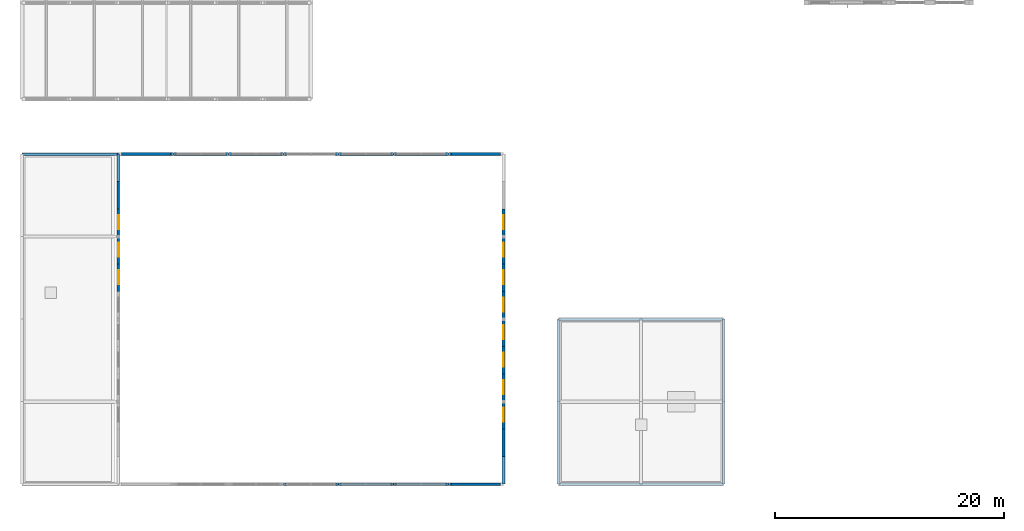
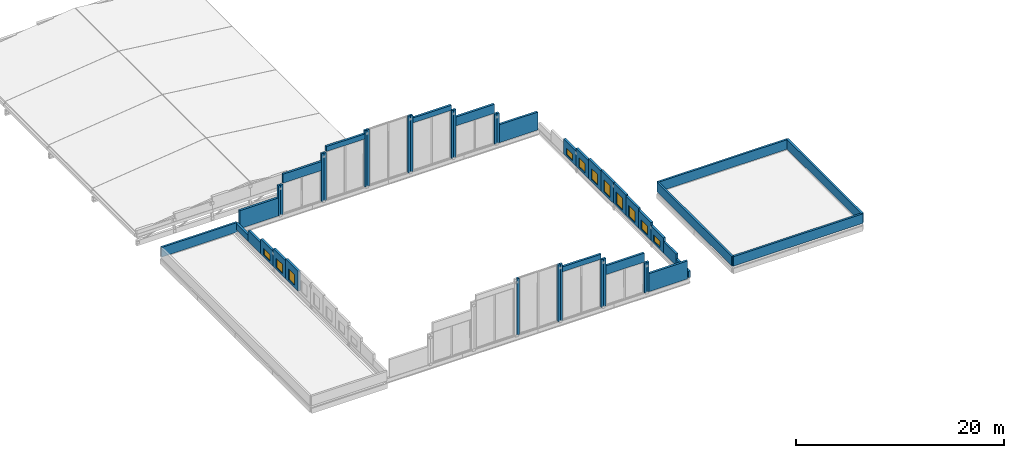
# One storey, part 24 of 34: 48 walls, 11 windows, 11 openings.
"""IFC4 building model written with IfcOpenShell, lengths in metres."""

from ifc_helpers import new_model, si_unit, direction, frame, frame_2d, origin, place, context, subcontext, project, spatial, rectangle, extrude, material, layer, layer_set, type_object, element, fill, save


model = new_model("IFC4")

# Units and contexts
model_context = context("Model", 3, precision=1e-05, world=origin(), true_north=direction((0.0, 1.0)))
body_context = subcontext(model_context, "Body", "Model", "MODEL_VIEW")
ifc_project = project(units=[si_unit("LENGTHUNIT", "METRE"), si_unit("AREAUNIT", "SQUARE_METRE"), si_unit("VOLUMEUNIT", "CUBIC_METRE"), si_unit("PLANEANGLEUNIT", "RADIAN"), si_unit("MASSUNIT", "GRAM", prefix="KILO")], contexts=[model_context])

# Site, building, storey
site_placement = place(None, origin())
site = spatial("IfcSite", under=ifc_project, at=site_placement, CompositionType="ELEMENT")
building_placement = place(site_placement, origin())
building = spatial("IfcBuilding", under=site, at=building_placement, Name="Kahlenmark Community Centre", CompositionType="ELEMENT")
storey_placement = place(building_placement, frame((0.0, 0.0, 17.699951171875)))
storey = spatial("IfcBuildingStorey", under=building, at=storey_placement, Name="L04", CompositionType="ELEMENT", Elevation=17.699951171875)

# Walls
ifc_material_1 = material(Name="Cross-laminated timber CLT C24", Category="wood")
ifc_layer_1 = layer(ifc_material_1, 0.239990234375)
ifc_layer_set_1 = layer_set([ifc_layer_1], Name="Cross-laminated timber CLT C24")
wall_type_1 = type_object("IfcWallType", Name="WT-EW-240", PredefinedType="SOLIDWALL", material=ifc_layer_set_1)
for number, where, z_axis, x_axis, name in (
    (1, (26.800048828125, 8.800048828125, 0.300048828125), (0.0, 0.0, 1.0), (1.0, 0.0, 0.0), "Main Hall arch pier 0864"),
    (2, (31.340087890625, 8.800048828125, 0.300048828125), (0.0, 0.0, 1.0), (1.0, 0.0, 0.0), "Main Hall arch pier 0865"),
    (3, (31.60009765625, 8.800048828125, 0.300048828125), (0.0, 0.0, 1.0), (1.0, 0.0, 0.0), "Main Hall arch pier 0866"),
):
    element("IfcWall", number, at=place(storey_placement, frame(where, z_axis=z_axis, x_axis=x_axis)), inside=storey, type_object=wall_type_1, Name=name, PredefinedType="SOLIDWALL", context=body_context, shape_type="SweptSolid", body=[
        extrude(rectangle(XDim=0.260009765625, YDim=0.239990234375, at=frame_2d((0.1298828125, 0.0))), origin(), (0.0, 0.0, 1.0), 6.635986328125),
    ])
wall_1_placement = place(storey_placement, frame((36.139892578125, 8.800048828125, 0.300048828125), z_axis=(0.0, 0.0, 1.0), x_axis=(1.0, 0.0, 0.0)))
element("IfcWall", 4, at=wall_1_placement, inside=storey, type_object=wall_type_1, Name="Main Hall arch pier 0867", PredefinedType="SOLIDWALL", context=body_context, shape_type="SweptSolid", body=[
    extrude(rectangle(XDim=0.260009765625, YDim=0.239990234375, at=frame_2d((0.1298828125, 0.0))), origin(), (0.0, 0.0, 1.0), 5.5966796875),
])
wall_2_placement = place(storey_placement, frame((31.860107421875, 8.800048828125, 5.979736328125), z_axis=(0.0, 0.0, 1.0), x_axis=(1.0, 0.0, 0.0)))
element("IfcWall", 5, at=wall_2_placement, inside=storey, type_object=wall_type_1, Name="Main Hall arch crown spandrel 0868", PredefinedType="SOLIDWALL", context=body_context, shape_type="SweptSolid", body=[
    extrude(rectangle(XDim=4.27978515625, YDim=0.239990234375, at=frame_2d((2.139892578125, 0.0))), origin(), (0.0, 0.0, 1.0), 0.58642578125),
])
wall_3_placement = place(storey_placement, frame((36.39990234375, 8.800048828125, 0.300048828125), z_axis=(0.0, 0.0, 1.0), x_axis=(1.0, 0.0, 0.0)))
element("IfcWall", 6, at=wall_3_placement, inside=storey, type_object=wall_type_1, Name="Main Hall arch pier 0869", PredefinedType="SOLIDWALL", context=body_context, shape_type="SweptSolid", body=[
    extrude(rectangle(XDim=0.260009765625, YDim=0.239990234375, at=frame_2d((0.1298828125, 0.0))), origin(), (0.0, 0.0, 1.0), 5.5966796875),
])
wall_4_placement = place(storey_placement, frame((40.93994140625, 8.800048828125, 0.300048828125), z_axis=(0.0, 0.0, 1.0), x_axis=(1.0, 0.0, 0.0)))
element("IfcWall", 7, at=wall_4_placement, inside=storey, type_object=wall_type_1, Name="Main Hall arch pier 0870", PredefinedType="SOLIDWALL", context=body_context, shape_type="SweptSolid", body=[
    extrude(rectangle(XDim=0.260009765625, YDim=0.239990234375, at=frame_2d((0.1298828125, 0.0))), origin(), (0.0, 0.0, 1.0), 3.51806640625),
])
wall_5_placement = place(storey_placement, frame((36.659912109375, 8.800048828125, 3.957275390625), z_axis=(0.0, 0.0, 1.0), x_axis=(1.0, 0.0, 0.0)))
element("IfcWall", 8, at=wall_5_placement, inside=storey, type_object=wall_type_1, Name="Main Hall arch crown spandrel 0871", PredefinedType="SOLIDWALL", context=body_context, shape_type="SweptSolid", body=[
    extrude(rectangle(XDim=4.280029296875, YDim=0.239990234375, at=frame_2d((2.14013671875, 0.0))), origin(), (0.0, 0.0, 1.0), 1.050048828125),
])
wall_6_placement = place(storey_placement, frame((41.199951171875, 8.800048828125, 0.300048828125), z_axis=(0.0, 0.0, 1.0), x_axis=(1.0, 0.0, 0.0)))
element("IfcWall", 9, at=wall_6_placement, inside=storey, type_object=wall_type_1, Name="Main Hall arch pier 0872", PredefinedType="SOLIDWALL", context=body_context, shape_type="SweptSolid", body=[
    extrude(rectangle(XDim=0.260009765625, YDim=0.239990234375, at=frame_2d((0.1298828125, 0.0))), origin(), (0.0, 0.0, 1.0), 3.51806640625),
])
wall_7_placement = place(storey_placement, frame((41.4599609375, 8.800048828125, 0.300048828125), z_axis=(0.0, 0.0, 1.0), x_axis=(1.0, 0.0, 0.0)))
element("IfcWall", 10, at=wall_7_placement, inside=storey, type_object=wall_type_1, Name="Main Hall arch haunch wall 0873", PredefinedType="SOLIDWALL", context=body_context, shape_type="SweptSolid", body=[
    extrude(rectangle(XDim=4.280029296875, YDim=0.239990234375, at=frame_2d((2.14013671875, 0.0))), origin(), (0.0, 0.0, 1.0), 2.10888671875),
])
wall_8_placement = place(storey_placement, frame((16.93994140625, 37.60009765625, 0.300048828125), z_axis=(0.0, 0.0, 1.0), x_axis=(1.0, 0.0, 0.0)))
element("IfcWall", 11, at=wall_8_placement, inside=storey, type_object=wall_type_1, Name="Main Hall arch pier 0874", PredefinedType="SOLIDWALL", context=body_context, shape_type="SweptSolid", body=[
    extrude(rectangle(XDim=0.260009765625, YDim=0.239990234375, at=frame_2d((0.1298828125, 0.0))), origin(), (0.0, 0.0, 1.0), 3.51806640625),
])
wall_9_placement = place(storey_placement, frame((12.659912109375, 37.60009765625, 0.300048828125), z_axis=(0.0, 0.0, 1.0), x_axis=(1.0, 0.0, 0.0)))
element("IfcWall", 12, at=wall_9_placement, inside=storey, type_object=wall_type_1, Name="Main Hall arch haunch wall 0875", PredefinedType="SOLIDWALL", context=body_context, shape_type="SweptSolid", body=[
    extrude(rectangle(XDim=4.280029296875, YDim=0.239990234375, at=frame_2d((2.14013671875, 0.0))), origin(), (0.0, 0.0, 1.0), 2.10888671875),
])
wall_10_placement = place(storey_placement, frame((17.199951171875, 37.60009765625, 0.300048828125), z_axis=(0.0, 0.0, 1.0), x_axis=(1.0, 0.0, 0.0)))
element("IfcWall", 13, at=wall_10_placement, inside=storey, type_object=wall_type_1, Name="Main Hall arch pier 0876", PredefinedType="SOLIDWALL", context=body_context, shape_type="SweptSolid", body=[
    extrude(rectangle(XDim=0.260009765625, YDim=0.239990234375, at=frame_2d((0.1298828125, 0.0))), origin(), (0.0, 0.0, 1.0), 3.51806640625),
])
wall_11_placement = place(storey_placement, frame((21.739990234375, 37.60009765625, 0.300048828125), z_axis=(0.0, 0.0, 1.0), x_axis=(1.0, 0.0, 0.0)))
element("IfcWall", 14, at=wall_11_placement, inside=storey, type_object=wall_type_1, Name="Main Hall arch pier 0877", PredefinedType="SOLIDWALL", context=body_context, shape_type="SweptSolid", body=[
    extrude(rectangle(XDim=0.260009765625, YDim=0.239990234375, at=frame_2d((0.1298828125, 0.0))), origin(), (0.0, 0.0, 1.0), 5.5966796875),
])
wall_12_placement = place(storey_placement, frame((17.4599609375, 37.60009765625, 3.957275390625), z_axis=(0.0, 0.0, 1.0), x_axis=(1.0, 0.0, 0.0)))
element("IfcWall", 15, at=wall_12_placement, inside=storey, type_object=wall_type_1, Name="Main Hall arch crown spandrel 0878", PredefinedType="SOLIDWALL", context=body_context, shape_type="SweptSolid", body=[
    extrude(rectangle(XDim=4.280029296875, YDim=0.239990234375, at=frame_2d((2.14013671875, 0.0))), origin(), (0.0, 0.0, 1.0), 1.050048828125),
])
wall_13_placement = place(storey_placement, frame((22.0, 37.60009765625, 0.300048828125), z_axis=(0.0, 0.0, 1.0), x_axis=(1.0, 0.0, 0.0)))
element("IfcWall", 16, at=wall_13_placement, inside=storey, type_object=wall_type_1, Name="Main Hall arch pier 0879", PredefinedType="SOLIDWALL", context=body_context, shape_type="SweptSolid", body=[
    extrude(rectangle(XDim=0.260009765625, YDim=0.239990234375, at=frame_2d((0.1298828125, 0.0))), origin(), (0.0, 0.0, 1.0), 5.5966796875),
])
wall_14_placement = place(storey_placement, frame((26.5400390625, 37.60009765625, 0.300048828125), z_axis=(0.0, 0.0, 1.0), x_axis=(1.0, 0.0, 0.0)))
element("IfcWall", 17, at=wall_14_placement, inside=storey, type_object=wall_type_1, Name="Main Hall arch pier 0880", PredefinedType="SOLIDWALL", context=body_context, shape_type="SweptSolid", body=[
    extrude(rectangle(XDim=0.260009765625, YDim=0.239990234375, at=frame_2d((0.1298828125, 0.0))), origin(), (0.0, 0.0, 1.0), 6.635986328125),
])
wall_15_placement = place(storey_placement, frame((22.260009765625, 37.60009765625, 5.979736328125), z_axis=(0.0, 0.0, 1.0), x_axis=(1.0, 0.0, 0.0)))
element("IfcWall", 18, at=wall_15_placement, inside=storey, type_object=wall_type_1, Name="Main Hall arch crown spandrel 0881", PredefinedType="SOLIDWALL", context=body_context, shape_type="SweptSolid", body=[
    extrude(rectangle(XDim=4.280029296875, YDim=0.239990234375, at=frame_2d((2.14013671875, 0.0))), origin(), (0.0, 0.0, 1.0), 0.58642578125),
])
for number, where, z_axis, x_axis, name in (
    (19, (26.800048828125, 37.60009765625, 0.300048828125), (0.0, 0.0, 1.0), (1.0, 0.0, 0.0), "Main Hall arch pier 0882"),
    (20, (31.340087890625, 37.60009765625, 0.300048828125), (0.0, 0.0, 1.0), (1.0, 0.0, 0.0), "Main Hall arch pier 0883"),
    (21, (31.60009765625, 37.60009765625, 0.300048828125), (0.0, 0.0, 1.0), (1.0, 0.0, 0.0), "Main Hall arch pier 0884"),
):
    element("IfcWall", number, at=place(storey_placement, frame(where, z_axis=z_axis, x_axis=x_axis)), inside=storey, type_object=wall_type_1, Name=name, PredefinedType="SOLIDWALL", context=body_context, shape_type="SweptSolid", body=[
        extrude(rectangle(XDim=0.260009765625, YDim=0.239990234375, at=frame_2d((0.1298828125, 0.0))), origin(), (0.0, 0.0, 1.0), 6.635986328125),
    ])
wall_16_placement = place(storey_placement, frame((36.139892578125, 37.60009765625, 0.300048828125), z_axis=(0.0, 0.0, 1.0), x_axis=(1.0, 0.0, 0.0)))
element("IfcWall", 22, at=wall_16_placement, inside=storey, type_object=wall_type_1, Name="Main Hall arch pier 0885", PredefinedType="SOLIDWALL", context=body_context, shape_type="SweptSolid", body=[
    extrude(rectangle(XDim=0.260009765625, YDim=0.239990234375, at=frame_2d((0.1298828125, 0.0))), origin(), (0.0, 0.0, 1.0), 5.5966796875),
])
wall_17_placement = place(storey_placement, frame((31.860107421875, 37.60009765625, 5.979736328125), z_axis=(0.0, 0.0, 1.0), x_axis=(1.0, 0.0, 0.0)))
element("IfcWall", 23, at=wall_17_placement, inside=storey, type_object=wall_type_1, Name="Main Hall arch crown spandrel 0886", PredefinedType="SOLIDWALL", context=body_context, shape_type="SweptSolid", body=[
    extrude(rectangle(XDim=4.27978515625, YDim=0.239990234375, at=frame_2d((2.139892578125, 0.0))), origin(), (0.0, 0.0, 1.0), 0.58642578125),
])
wall_18_placement = place(storey_placement, frame((36.39990234375, 37.60009765625, 0.300048828125), z_axis=(0.0, 0.0, 1.0), x_axis=(1.0, 0.0, 0.0)))
element("IfcWall", 24, at=wall_18_placement, inside=storey, type_object=wall_type_1, Name="Main Hall arch pier 0887", PredefinedType="SOLIDWALL", context=body_context, shape_type="SweptSolid", body=[
    extrude(rectangle(XDim=0.260009765625, YDim=0.239990234375, at=frame_2d((0.1298828125, 0.0))), origin(), (0.0, 0.0, 1.0), 5.5966796875),
])
wall_19_placement = place(storey_placement, frame((40.93994140625, 37.60009765625, 0.300048828125), z_axis=(0.0, 0.0, 1.0), x_axis=(1.0, 0.0, 0.0)))
element("IfcWall", 25, at=wall_19_placement, inside=storey, type_object=wall_type_1, Name="Main Hall arch pier 0888", PredefinedType="SOLIDWALL", context=body_context, shape_type="SweptSolid", body=[
    extrude(rectangle(XDim=0.260009765625, YDim=0.239990234375, at=frame_2d((0.1298828125, 0.0))), origin(), (0.0, 0.0, 1.0), 3.51806640625),
])
wall_20_placement = place(storey_placement, frame((36.659912109375, 37.60009765625, 3.957275390625), z_axis=(0.0, 0.0, 1.0), x_axis=(1.0, 0.0, 0.0)))
element("IfcWall", 26, at=wall_20_placement, inside=storey, type_object=wall_type_1, Name="Main Hall arch crown spandrel 0889", PredefinedType="SOLIDWALL", context=body_context, shape_type="SweptSolid", body=[
    extrude(rectangle(XDim=4.280029296875, YDim=0.239990234375, at=frame_2d((2.14013671875, 0.0))), origin(), (0.0, 0.0, 1.0), 1.050048828125),
])
wall_21_placement = place(storey_placement, frame((41.199951171875, 37.60009765625, 0.300048828125), z_axis=(0.0, 0.0, 1.0), x_axis=(1.0, 0.0, 0.0)))
element("IfcWall", 27, at=wall_21_placement, inside=storey, type_object=wall_type_1, Name="Main Hall arch pier 0890", PredefinedType="SOLIDWALL", context=body_context, shape_type="SweptSolid", body=[
    extrude(rectangle(XDim=0.260009765625, YDim=0.239990234375, at=frame_2d((0.1298828125, 0.0))), origin(), (0.0, 0.0, 1.0), 3.51806640625),
])
wall_22_placement = place(storey_placement, frame((41.4599609375, 37.60009765625, 0.300048828125), z_axis=(0.0, 0.0, 1.0), x_axis=(1.0, 0.0, 0.0)))
element("IfcWall", 28, at=wall_22_placement, inside=storey, type_object=wall_type_1, Name="Main Hall arch haunch wall 0891", PredefinedType="SOLIDWALL", context=body_context, shape_type="SweptSolid", body=[
    extrude(rectangle(XDim=4.280029296875, YDim=0.239990234375, at=frame_2d((2.14013671875, 0.0))), origin(), (0.0, 0.0, 1.0), 2.10888671875),
])

# Wall, opening, window
wall_23_placement = place(storey_placement, frame((12.39990234375, 25.60009765625, 0.300048828125), z_axis=(0.0, 0.0, 1.0), x_axis=(0.0, 1.0, 0.0)))
wall_23 = element("IfcWall", 29, at=wall_23_placement, inside=storey, type_object=wall_type_1, Name="Main Hall lunette wall WL-TYMP-EW-0899", PredefinedType="SOLIDWALL", context=body_context, shape_type="SweptSolid", body=[
    extrude(rectangle(XDim=2.39990234375, YDim=0.239990234375, at=frame_2d((1.199951171875, 0.0))), origin(), (0.0, 0.0, 1.0), 2.328857421875),
])
opening_1_placement = place(wall_23_placement, frame((0.659912109375, 0.0, 0.25)))
opening_1 = element("IfcOpeningElement", 30, at=opening_1_placement, cuts=wall_23, Name="Opening W-120X129", PredefinedType="OPENING", context=body_context, shape_type="SweptSolid", body=[
    extrude(rectangle(XDim=1.199951171875, YDim=1.2890625, at=frame_2d((0.60009765625, 0.64453125))), frame((0.0, 0.1298828125, 0.0), z_axis=(0.0, -1.0, 0.0), x_axis=(1.0, 0.0, 0.0)), (0.0, 0.0, 1.0), 0.260009765625),
])
ifc_material_2 = material(Name="Triple low-e insulated glazing in timber-aluminium frame", Category="wood")
window_type_1 = type_object("IfcWindowType", Name="WNT-120X129", PartitioningType="SINGLE_PANEL", PredefinedType="WINDOW", material=ifc_material_2)
window_1_placement = place(opening_1_placement, origin())
window_1 = element("IfcWindow", 31, at=window_1_placement, inside=storey, type_object=window_type_1, Name="Window W-120X129 #0540", OverallHeight=1.2890625, OverallWidth=1.199951171875, PartitioningType="SINGLE_PANEL", PredefinedType="WINDOW", context=body_context, shape_type="SweptSolid", body=[
    extrude(rectangle(XDim=1.199951171875, YDim=1.2890625, at=frame_2d((0.60009765625, 0.64453125))), frame((0.0, 0.030029296875, 0.0), z_axis=(0.0, -1.0, 0.0), x_axis=(1.0, 0.0, 0.0)), (0.0, 0.0, 1.0), 0.06005859375),
])
fill(opening_1, window_1)

wall_24_placement = place(storey_placement, frame((12.39990234375, 28.0, 0.300048828125), z_axis=(0.0, 0.0, 1.0), x_axis=(0.0, 1.0, 0.0)))
wall_24 = element("IfcWall", 32, at=wall_24_placement, inside=storey, type_object=wall_type_1, Name="Main Hall lunette wall WL-TYMP-EW-0900", PredefinedType="SOLIDWALL", context=body_context, shape_type="SweptSolid", body=[
    extrude(rectangle(XDim=2.39990234375, YDim=0.239990234375, at=frame_2d((1.199951171875, 0.0))), origin(), (0.0, 0.0, 1.0), 2.106201171875),
])
opening_2_placement = place(wall_24_placement, frame((0.659912109375, 0.0, 0.25)))
opening_2 = element("IfcOpeningElement", 33, at=opening_2_placement, cuts=wall_24, Name="Opening W-120X107", PredefinedType="OPENING", context=body_context, shape_type="SweptSolid", body=[
    extrude(rectangle(XDim=1.199951171875, YDim=1.06591796875, at=frame_2d((0.60009765625, 0.532958984375))), frame((0.0, 0.1298828125, 0.0), z_axis=(0.0, -1.0, 0.0), x_axis=(1.0, 0.0, 0.0)), (0.0, 0.0, 1.0), 0.260009765625),
])
window_type_2 = type_object("IfcWindowType", Name="WNT-120X107", PartitioningType="SINGLE_PANEL", PredefinedType="WINDOW", material=ifc_material_2)
window_2_placement = place(opening_2_placement, origin())
window_2 = element("IfcWindow", 34, at=window_2_placement, inside=storey, type_object=window_type_2, Name="Window W-120X107 #0541", OverallHeight=1.06591796875, OverallWidth=1.199951171875, PartitioningType="SINGLE_PANEL", PredefinedType="WINDOW", context=body_context, shape_type="SweptSolid", body=[
    extrude(rectangle(XDim=1.199951171875, YDim=1.06591796875, at=frame_2d((0.60009765625, 0.532958984375))), frame((0.0, 0.030029296875, 0.0), z_axis=(0.0, -1.0, 0.0), x_axis=(1.0, 0.0, 0.0)), (0.0, 0.0, 1.0), 0.06005859375),
])
fill(opening_2, window_2)

wall_25_placement = place(storey_placement, frame((12.39990234375, 30.39990234375, 0.300048828125), z_axis=(0.0, 0.0, 1.0), x_axis=(0.0, 1.0, 0.0)))
wall_25 = element("IfcWall", 35, at=wall_25_placement, inside=storey, type_object=wall_type_1, Name="Main Hall lunette wall WL-TYMP-EW-0901", PredefinedType="SOLIDWALL", context=body_context, shape_type="SweptSolid", body=[
    extrude(rectangle(XDim=2.400146484375, YDim=0.239990234375, at=frame_2d((1.2001953125, 0.0))), origin(), (0.0, 0.0, 1.0), 1.770751953125),
])
opening_3_placement = place(wall_25_placement, frame((0.659912109375, 0.0, 0.25)))
opening_3 = element("IfcOpeningElement", 36, at=opening_3_placement, cuts=wall_25, Name="Opening W-120X073", PredefinedType="OPENING", context=body_context, shape_type="SweptSolid", body=[
    extrude(rectangle(XDim=1.199951171875, YDim=0.73095703125, at=frame_2d((0.60009765625, 0.365478515625))), frame((0.0, 0.1298828125, 0.0), z_axis=(0.0, -1.0, 0.0), x_axis=(1.0, 0.0, 0.0)), (0.0, 0.0, 1.0), 0.260009765625),
])
window_type_3 = type_object("IfcWindowType", Name="WNT-120X073", PartitioningType="SINGLE_PANEL", PredefinedType="WINDOW", material=ifc_material_2)
window_3_placement = place(opening_3_placement, origin())
window_3 = element("IfcWindow", 37, at=window_3_placement, inside=storey, type_object=window_type_3, Name="Window W-120X073 #0542", OverallHeight=0.73095703125, OverallWidth=1.199951171875, PartitioningType="SINGLE_PANEL", PredefinedType="WINDOW", context=body_context, shape_type="SweptSolid", body=[
    extrude(rectangle(XDim=1.199951171875, YDim=0.73095703125, at=frame_2d((0.60009765625, 0.365478515625))), frame((0.0, 0.030029296875, 0.0), z_axis=(0.0, -1.0, 0.0), x_axis=(1.0, 0.0, 0.0)), (0.0, 0.0, 1.0), 0.06005859375),
])
fill(opening_3, window_3)

# Walls
wall_26_placement = place(storey_placement, frame((12.39990234375, 32.800048828125, 0.300048828125), z_axis=(0.0, 0.0, 1.0), x_axis=(0.0, 1.0, 0.0)))
element("IfcWall", 38, at=wall_26_placement, inside=storey, type_object=wall_type_1, Name="Main Hall lunette wall WL-TYMP-EW-0902", PredefinedType="SOLIDWALL", context=body_context, shape_type="SweptSolid", body=[
    extrude(rectangle(XDim=2.39990234375, YDim=0.239990234375, at=frame_2d((1.199951171875, 0.0))), origin(), (0.0, 0.0, 1.0), 1.319580078125),
])
wall_27_placement = place(storey_placement, frame((12.39990234375, 35.199951171875, 0.300048828125), z_axis=(0.0, 0.0, 1.0), x_axis=(0.0, 1.0, 0.0)))
element("IfcWall", 39, at=wall_27_placement, inside=storey, type_object=wall_type_1, Name="Main Hall lunette wall WL-TYMP-EW-0903", PredefinedType="SOLIDWALL", context=body_context, shape_type="SweptSolid", body=[
    extrude(rectangle(XDim=2.400146484375, YDim=0.239990234375, at=frame_2d((1.2001953125, 0.0))), origin(), (0.0, 0.0, 1.0), 0.750244140625),
])
wall_28_placement = place(storey_placement, frame((46.0, 8.800048828125, 0.300048828125), z_axis=(0.0, 0.0, 1.0), x_axis=(0.0, 1.0, 0.0)))
element("IfcWall", 40, at=wall_28_placement, inside=storey, type_object=wall_type_1, Name="Main Hall lunette wall WL-TYMP-EW-0904", PredefinedType="SOLIDWALL", context=body_context, shape_type="SweptSolid", body=[
    extrude(rectangle(XDim=2.39990234375, YDim=0.239990234375, at=frame_2d((1.199951171875, 0.0))), origin(), (0.0, 0.0, 1.0), 0.750244140625),
])
wall_29_placement = place(storey_placement, frame((46.0, 11.199951171875, 0.300048828125), z_axis=(0.0, 0.0, 1.0), x_axis=(0.0, 1.0, 0.0)))
element("IfcWall", 41, at=wall_29_placement, inside=storey, type_object=wall_type_1, Name="Main Hall lunette wall WL-TYMP-EW-0905", PredefinedType="SOLIDWALL", context=body_context, shape_type="SweptSolid", body=[
    extrude(rectangle(XDim=2.400146484375, YDim=0.239990234375, at=frame_2d((1.2001953125, 0.0))), origin(), (0.0, 0.0, 1.0), 1.319580078125),
])

# Wall, opening, window
wall_30_placement = place(storey_placement, frame((46.0, 13.60009765625, 0.300048828125), z_axis=(0.0, 0.0, 1.0), x_axis=(0.0, 1.0, 0.0)))
wall_30 = element("IfcWall", 42, at=wall_30_placement, inside=storey, type_object=wall_type_1, Name="Main Hall lunette wall WL-TYMP-EW-0906", PredefinedType="SOLIDWALL", context=body_context, shape_type="SweptSolid", body=[
    extrude(rectangle(XDim=2.39990234375, YDim=0.239990234375, at=frame_2d((1.199951171875, 0.0))), origin(), (0.0, 0.0, 1.0), 1.770751953125),
])
opening_4_placement = place(wall_30_placement, frame((0.659912109375, 0.0, 0.25)))
opening_4 = element("IfcOpeningElement", 43, at=opening_4_placement, cuts=wall_30, Name="Opening W-120X073", PredefinedType="OPENING", context=body_context, shape_type="SweptSolid", body=[
    extrude(rectangle(XDim=1.199951171875, YDim=0.73095703125, at=frame_2d((0.60009765625, 0.365478515625))), frame((0.0, 0.1298828125, 0.0), z_axis=(0.0, -1.0, 0.0), x_axis=(1.0, 0.0, 0.0)), (0.0, 0.0, 1.0), 0.260009765625),
])
window_4_placement = place(opening_4_placement, origin())
window_4 = element("IfcWindow", 44, at=window_4_placement, inside=storey, type_object=window_type_3, Name="Window W-120X073 #0543", OverallHeight=0.73095703125, OverallWidth=1.199951171875, PartitioningType="SINGLE_PANEL", PredefinedType="WINDOW", context=body_context, shape_type="SweptSolid", body=[
    extrude(rectangle(XDim=1.199951171875, YDim=0.73095703125, at=frame_2d((0.60009765625, 0.365478515625))), frame((0.0, 0.030029296875, 0.0), z_axis=(0.0, -1.0, 0.0), x_axis=(1.0, 0.0, 0.0)), (0.0, 0.0, 1.0), 0.06005859375),
])
fill(opening_4, window_4)

wall_31_placement = place(storey_placement, frame((46.0, 16.0, 0.300048828125), z_axis=(0.0, 0.0, 1.0), x_axis=(0.0, 1.0, 0.0)))
wall_31 = element("IfcWall", 45, at=wall_31_placement, inside=storey, type_object=wall_type_1, Name="Main Hall lunette wall WL-TYMP-EW-0907", PredefinedType="SOLIDWALL", context=body_context, shape_type="SweptSolid", body=[
    extrude(rectangle(XDim=2.39990234375, YDim=0.239990234375, at=frame_2d((1.199951171875, 0.0))), origin(), (0.0, 0.0, 1.0), 2.106201171875),
])
opening_5_placement = place(wall_31_placement, frame((0.659912109375, 0.0, 0.25)))
opening_5 = element("IfcOpeningElement", 46, at=opening_5_placement, cuts=wall_31, Name="Opening W-120X107", PredefinedType="OPENING", context=body_context, shape_type="SweptSolid", body=[
    extrude(rectangle(XDim=1.199951171875, YDim=1.06591796875, at=frame_2d((0.60009765625, 0.532958984375))), frame((0.0, 0.1298828125, 0.0), z_axis=(0.0, -1.0, 0.0), x_axis=(1.0, 0.0, 0.0)), (0.0, 0.0, 1.0), 0.260009765625),
])
window_5_placement = place(opening_5_placement, origin())
window_5 = element("IfcWindow", 47, at=window_5_placement, inside=storey, type_object=window_type_2, Name="Window W-120X107 #0544", OverallHeight=1.06591796875, OverallWidth=1.199951171875, PartitioningType="SINGLE_PANEL", PredefinedType="WINDOW", context=body_context, shape_type="SweptSolid", body=[
    extrude(rectangle(XDim=1.199951171875, YDim=1.06591796875, at=frame_2d((0.60009765625, 0.532958984375))), frame((0.0, 0.030029296875, 0.0), z_axis=(0.0, -1.0, 0.0), x_axis=(1.0, 0.0, 0.0)), (0.0, 0.0, 1.0), 0.06005859375),
])
fill(opening_5, window_5)

wall_32_placement = place(storey_placement, frame((46.0, 18.39990234375, 0.300048828125), z_axis=(0.0, 0.0, 1.0), x_axis=(0.0, 1.0, 0.0)))
wall_32 = element("IfcWall", 48, at=wall_32_placement, inside=storey, type_object=wall_type_1, Name="Main Hall lunette wall WL-TYMP-EW-0908", PredefinedType="SOLIDWALL", context=body_context, shape_type="SweptSolid", body=[
    extrude(rectangle(XDim=2.400146484375, YDim=0.239990234375, at=frame_2d((1.2001953125, 0.0))), origin(), (0.0, 0.0, 1.0), 2.328857421875),
])
opening_6_placement = place(wall_32_placement, frame((0.659912109375, 0.0, 0.25)))
opening_6 = element("IfcOpeningElement", 49, at=opening_6_placement, cuts=wall_32, Name="Opening W-120X129", PredefinedType="OPENING", context=body_context, shape_type="SweptSolid", body=[
    extrude(rectangle(XDim=1.199951171875, YDim=1.2890625, at=frame_2d((0.60009765625, 0.64453125))), frame((0.0, 0.1298828125, 0.0), z_axis=(0.0, -1.0, 0.0), x_axis=(1.0, 0.0, 0.0)), (0.0, 0.0, 1.0), 0.260009765625),
])
window_6_placement = place(opening_6_placement, origin())
window_6 = element("IfcWindow", 50, at=window_6_placement, inside=storey, type_object=window_type_1, Name="Window W-120X129 #0545", OverallHeight=1.2890625, OverallWidth=1.199951171875, PartitioningType="SINGLE_PANEL", PredefinedType="WINDOW", context=body_context, shape_type="SweptSolid", body=[
    extrude(rectangle(XDim=1.199951171875, YDim=1.2890625, at=frame_2d((0.60009765625, 0.64453125))), frame((0.0, 0.030029296875, 0.0), z_axis=(0.0, -1.0, 0.0), x_axis=(1.0, 0.0, 0.0)), (0.0, 0.0, 1.0), 0.06005859375),
])
fill(opening_6, window_6)

wall_33_placement = place(storey_placement, frame((46.0, 20.800048828125, 0.300048828125), z_axis=(0.0, 0.0, 1.0), x_axis=(0.0, 1.0, 0.0)))
wall_33 = element("IfcWall", 51, at=wall_33_placement, inside=storey, type_object=wall_type_1, Name="Main Hall lunette wall WL-TYMP-EW-0909", PredefinedType="SOLIDWALL", context=body_context, shape_type="SweptSolid", body=[
    extrude(rectangle(XDim=2.39990234375, YDim=0.239990234375, at=frame_2d((1.199951171875, 0.0))), origin(), (0.0, 0.0, 1.0), 2.439697265625),
])
opening_7_placement = place(wall_33_placement, frame((0.659912109375, 0.0, 0.25)))
opening_7 = element("IfcOpeningElement", 52, at=opening_7_placement, cuts=wall_33, Name="Opening W-120X140", PredefinedType="OPENING", context=body_context, shape_type="SweptSolid", body=[
    extrude(rectangle(XDim=1.199951171875, YDim=1.39990234375, at=frame_2d((0.60009765625, 0.699951171875))), frame((0.0, 0.1298828125, 0.0), z_axis=(0.0, -1.0, 0.0), x_axis=(1.0, 0.0, 0.0)), (0.0, 0.0, 1.0), 0.260009765625),
])
window_type_4 = type_object("IfcWindowType", Name="WNT-120X140", PartitioningType="SINGLE_PANEL", PredefinedType="WINDOW", material=ifc_material_2)
window_7_placement = place(opening_7_placement, origin())
window_7 = element("IfcWindow", 53, at=window_7_placement, inside=storey, type_object=window_type_4, Name="Window W-120X140 #0546", OverallHeight=1.39990234375, OverallWidth=1.199951171875, PartitioningType="SINGLE_PANEL", PredefinedType="WINDOW", context=body_context, shape_type="SweptSolid", body=[
    extrude(rectangle(XDim=1.199951171875, YDim=1.39990234375, at=frame_2d((0.60009765625, 0.699951171875))), frame((0.0, 0.030029296875, 0.0), z_axis=(0.0, -1.0, 0.0), x_axis=(1.0, 0.0, 0.0)), (0.0, 0.0, 1.0), 0.06005859375),
])
fill(opening_7, window_7)

wall_34_placement = place(storey_placement, frame((46.0, 23.199951171875, 0.300048828125), z_axis=(0.0, 0.0, 1.0), x_axis=(0.0, 1.0, 0.0)))
wall_34 = element("IfcWall", 54, at=wall_34_placement, inside=storey, type_object=wall_type_1, Name="Main Hall lunette wall WL-TYMP-EW-0910", PredefinedType="SOLIDWALL", context=body_context, shape_type="SweptSolid", body=[
    extrude(rectangle(XDim=2.400146484375, YDim=0.239990234375, at=frame_2d((1.2001953125, 0.0))), origin(), (0.0, 0.0, 1.0), 2.439697265625),
])
opening_8_placement = place(wall_34_placement, frame((0.659912109375, 0.0, 0.25)))
opening_8 = element("IfcOpeningElement", 55, at=opening_8_placement, cuts=wall_34, Name="Opening W-120X140", PredefinedType="OPENING", context=body_context, shape_type="SweptSolid", body=[
    extrude(rectangle(XDim=1.199951171875, YDim=1.39990234375, at=frame_2d((0.60009765625, 0.699951171875))), frame((0.0, 0.1298828125, 0.0), z_axis=(0.0, -1.0, 0.0), x_axis=(1.0, 0.0, 0.0)), (0.0, 0.0, 1.0), 0.260009765625),
])
window_8_placement = place(opening_8_placement, origin())
window_8 = element("IfcWindow", 56, at=window_8_placement, inside=storey, type_object=window_type_4, Name="Window W-120X140 #0547", OverallHeight=1.39990234375, OverallWidth=1.199951171875, PartitioningType="SINGLE_PANEL", PredefinedType="WINDOW", context=body_context, shape_type="SweptSolid", body=[
    extrude(rectangle(XDim=1.199951171875, YDim=1.39990234375, at=frame_2d((0.60009765625, 0.699951171875))), frame((0.0, 0.030029296875, 0.0), z_axis=(0.0, -1.0, 0.0), x_axis=(1.0, 0.0, 0.0)), (0.0, 0.0, 1.0), 0.06005859375),
])
fill(opening_8, window_8)

wall_35_placement = place(storey_placement, frame((46.0, 25.60009765625, 0.300048828125), z_axis=(0.0, 0.0, 1.0), x_axis=(0.0, 1.0, 0.0)))
wall_35 = element("IfcWall", 57, at=wall_35_placement, inside=storey, type_object=wall_type_1, Name="Main Hall lunette wall WL-TYMP-EW-0911", PredefinedType="SOLIDWALL", context=body_context, shape_type="SweptSolid", body=[
    extrude(rectangle(XDim=2.39990234375, YDim=0.239990234375, at=frame_2d((1.199951171875, 0.0))), origin(), (0.0, 0.0, 1.0), 2.328857421875),
])
opening_9_placement = place(wall_35_placement, frame((0.659912109375, 0.0, 0.25)))
opening_9 = element("IfcOpeningElement", 58, at=opening_9_placement, cuts=wall_35, Name="Opening W-120X129", PredefinedType="OPENING", context=body_context, shape_type="SweptSolid", body=[
    extrude(rectangle(XDim=1.199951171875, YDim=1.2890625, at=frame_2d((0.60009765625, 0.64453125))), frame((0.0, 0.1298828125, 0.0), z_axis=(0.0, -1.0, 0.0), x_axis=(1.0, 0.0, 0.0)), (0.0, 0.0, 1.0), 0.260009765625),
])
window_9_placement = place(opening_9_placement, origin())
window_9 = element("IfcWindow", 59, at=window_9_placement, inside=storey, type_object=window_type_1, Name="Window W-120X129 #0548", OverallHeight=1.2890625, OverallWidth=1.199951171875, PartitioningType="SINGLE_PANEL", PredefinedType="WINDOW", context=body_context, shape_type="SweptSolid", body=[
    extrude(rectangle(XDim=1.199951171875, YDim=1.2890625, at=frame_2d((0.60009765625, 0.64453125))), frame((0.0, 0.030029296875, 0.0), z_axis=(0.0, -1.0, 0.0), x_axis=(1.0, 0.0, 0.0)), (0.0, 0.0, 1.0), 0.06005859375),
])
fill(opening_9, window_9)

wall_36_placement = place(storey_placement, frame((46.0, 28.0, 0.300048828125), z_axis=(0.0, 0.0, 1.0), x_axis=(0.0, 1.0, 0.0)))
wall_36 = element("IfcWall", 60, at=wall_36_placement, inside=storey, type_object=wall_type_1, Name="Main Hall lunette wall WL-TYMP-EW-0912", PredefinedType="SOLIDWALL", context=body_context, shape_type="SweptSolid", body=[
    extrude(rectangle(XDim=2.39990234375, YDim=0.239990234375, at=frame_2d((1.199951171875, 0.0))), origin(), (0.0, 0.0, 1.0), 2.106201171875),
])
opening_10_placement = place(wall_36_placement, frame((0.659912109375, 0.0, 0.25)))
opening_10 = element("IfcOpeningElement", 61, at=opening_10_placement, cuts=wall_36, Name="Opening W-120X107", PredefinedType="OPENING", context=body_context, shape_type="SweptSolid", body=[
    extrude(rectangle(XDim=1.199951171875, YDim=1.06591796875, at=frame_2d((0.60009765625, 0.532958984375))), frame((0.0, 0.1298828125, 0.0), z_axis=(0.0, -1.0, 0.0), x_axis=(1.0, 0.0, 0.0)), (0.0, 0.0, 1.0), 0.260009765625),
])
window_10_placement = place(opening_10_placement, origin())
window_10 = element("IfcWindow", 62, at=window_10_placement, inside=storey, type_object=window_type_2, Name="Window W-120X107 #0549", OverallHeight=1.06591796875, OverallWidth=1.199951171875, PartitioningType="SINGLE_PANEL", PredefinedType="WINDOW", context=body_context, shape_type="SweptSolid", body=[
    extrude(rectangle(XDim=1.199951171875, YDim=1.06591796875, at=frame_2d((0.60009765625, 0.532958984375))), frame((0.0, 0.030029296875, 0.0), z_axis=(0.0, -1.0, 0.0), x_axis=(1.0, 0.0, 0.0)), (0.0, 0.0, 1.0), 0.06005859375),
])
fill(opening_10, window_10)

wall_37_placement = place(storey_placement, frame((46.0, 30.39990234375, 0.300048828125), z_axis=(0.0, 0.0, 1.0), x_axis=(0.0, 1.0, 0.0)))
wall_37 = element("IfcWall", 63, at=wall_37_placement, inside=storey, type_object=wall_type_1, Name="Main Hall lunette wall WL-TYMP-EW-0913", PredefinedType="SOLIDWALL", context=body_context, shape_type="SweptSolid", body=[
    extrude(rectangle(XDim=2.400146484375, YDim=0.239990234375, at=frame_2d((1.2001953125, 0.0))), origin(), (0.0, 0.0, 1.0), 1.770751953125),
])
opening_11_placement = place(wall_37_placement, frame((0.659912109375, 0.0, 0.25)))
opening_11 = element("IfcOpeningElement", 64, at=opening_11_placement, cuts=wall_37, Name="Opening W-120X073", PredefinedType="OPENING", context=body_context, shape_type="SweptSolid", body=[
    extrude(rectangle(XDim=1.199951171875, YDim=0.73095703125, at=frame_2d((0.60009765625, 0.365478515625))), frame((0.0, 0.1298828125, 0.0), z_axis=(0.0, -1.0, 0.0), x_axis=(1.0, 0.0, 0.0)), (0.0, 0.0, 1.0), 0.260009765625),
])
window_11_placement = place(opening_11_placement, origin())
window_11 = element("IfcWindow", 65, at=window_11_placement, inside=storey, type_object=window_type_3, Name="Window W-120X073 #0550", OverallHeight=0.73095703125, OverallWidth=1.199951171875, PartitioningType="SINGLE_PANEL", PredefinedType="WINDOW", context=body_context, shape_type="SweptSolid", body=[
    extrude(rectangle(XDim=1.199951171875, YDim=0.73095703125, at=frame_2d((0.60009765625, 0.365478515625))), frame((0.0, 0.030029296875, 0.0), z_axis=(0.0, -1.0, 0.0), x_axis=(1.0, 0.0, 0.0)), (0.0, 0.0, 1.0), 0.06005859375),
])
fill(opening_11, window_11)

# Walls
ifc_material_3 = material(Name="Concrete C30/37", Category="concrete")
ifc_layer_2 = layer(ifc_material_3, 0.219970703125)
ifc_layer_set_2 = layer_set([ifc_layer_2], Name="Concrete C30/37")
wall_type_2 = type_object("IfcWallType", Name="WT-PAR-220", PredefinedType="PARAPET", material=ifc_layer_set_2)
wall_38_placement = place(storey_placement, frame((4.0, 37.60009765625, 0.0), z_axis=(0.0, 0.0, 1.0), x_axis=(1.0, 0.0, 0.0)))
element("IfcWall", 66, at=wall_38_placement, inside=storey, type_object=wall_type_2, Name="Roof parapet 1046", PredefinedType="PARAPET", context=body_context, shape_type="SweptSolid", body=[
    extrude(rectangle(XDim=8.39990234375, YDim=0.219970703125, at=frame_2d((4.199951171875, 0.0))), origin(), (0.0, 0.0, 1.0), 1.1201171875),
])
for number, where, z_axis, x_axis, name in (
    (67, (50.800048828125, 8.800048828125, 0.0), (0.0, 0.0, 1.0), (1.0, 0.0, 0.0), "Roof parapet 1048"),
    (68, (50.800048828125, 23.199951171875, 0.0), (0.0, 0.0, 1.0), (1.0, 0.0, 0.0), "Roof parapet 1049"),
    (69, (50.800048828125, 8.800048828125, 0.0), (0.0, 0.0, 1.0), (0.0, 1.0, 0.0), "Roof parapet 1050"),
    (70, (65.199951171875, 8.800048828125, 0.0), (0.0, 0.0, 1.0), (0.0, 1.0, 0.0), "Roof parapet 1051"),
):
    element("IfcWall", number, at=place(storey_placement, frame(where, z_axis=z_axis, x_axis=x_axis)), inside=storey, type_object=wall_type_2, Name=name, PredefinedType="PARAPET", context=body_context, shape_type="SweptSolid", body=[
        extrude(rectangle(XDim=14.39990234375, YDim=0.219970703125, at=frame_2d((7.199951171875, 0.0))), origin(), (0.0, 0.0, 1.0), 1.1201171875),
    ])

save(model, "model.ifc")
